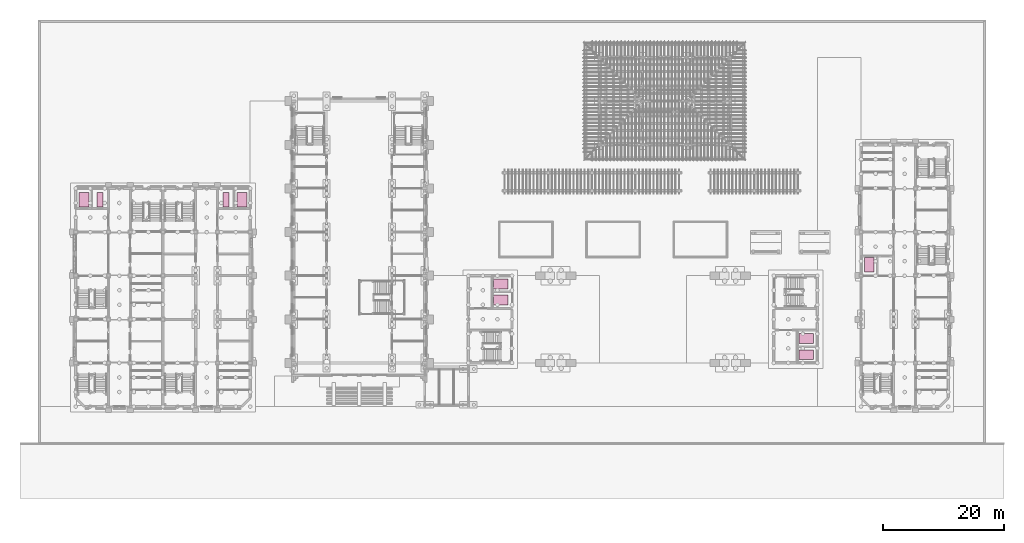
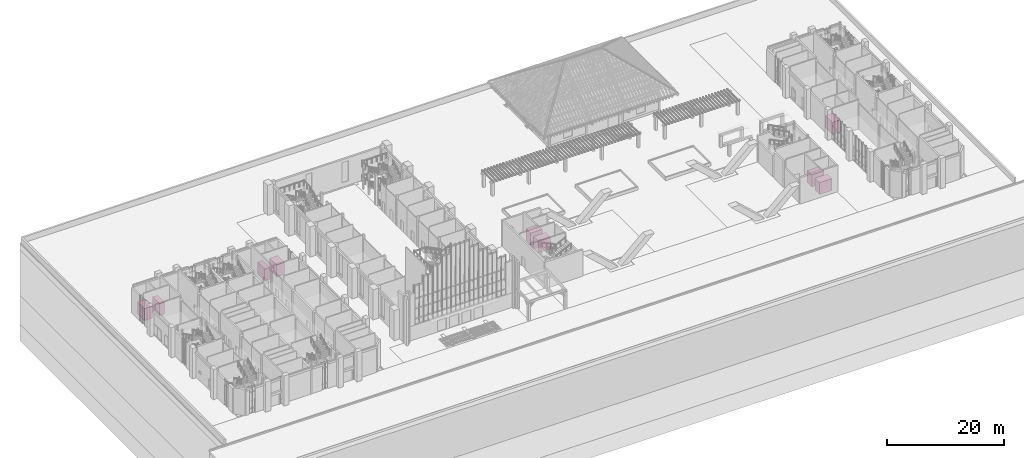
# One storey, part 84 of 84: 9 transport elements.
"""IFC4 building model written with IfcOpenShell, lengths in metres."""

from ifc_helpers import new_model, si_unit, direction, frame, origin, origin_2d, place, context, subcontext, project, spatial, rectangle, extrude, material, type_object, element, save


model = new_model("IFC4")

# Units and contexts
model_context = context("Model", 3, precision=1e-05, world=origin(), true_north=direction((0.0, 1.0)))
body_context = subcontext(model_context, "Body", "Model", "MODEL_VIEW")
ifc_project = project(units=[si_unit("LENGTHUNIT", "METRE"), si_unit("AREAUNIT", "SQUARE_METRE"), si_unit("VOLUMEUNIT", "CUBIC_METRE"), si_unit("PLANEANGLEUNIT", "RADIAN"), si_unit("MASSUNIT", "GRAM", prefix="KILO")], contexts=[model_context])

# Site, building, storey
site_placement = place(None, origin())
site = spatial("IfcSite", under=ifc_project, at=site_placement, CompositionType="ELEMENT")
building_placement = place(site_placement, origin())
building = spatial("IfcBuilding", under=site, at=building_placement, Name="Mazhai Court Health Centre", CompositionType="ELEMENT")
storey_placement = place(building_placement, origin())
storey = spatial("IfcBuildingStorey", under=building, at=storey_placement, Name="L00", CompositionType="ELEMENT", Elevation=0.0)

# Transport elements
ifc_material_1 = material(Name="Stainless steel lift car", Category="steel")
transport_element_type_1 = type_object("IfcTransportElementType", Name="LIFT CAR 1000x2400 1020 KG", PredefinedType="ELEVATOR", material=ifc_material_1)
for number, where, z_axis, x_axis, name in (
    (1, (10.219970703125, 40.3349609375, 0.050048828125), (0.0, 0.0, 1.0), (1.0, 0.0, 0.0), "Lift LF2"),
    (2, (30.97998046875, 40.3349609375, 0.050048828125), (0.0, 0.0, 1.0), (1.0, 0.0, 0.0), "Lift LF4"),
):
    element("IfcTransportElement", number, at=place(storey_placement, frame(where, z_axis=z_axis, x_axis=x_axis)), inside=storey, type_object=transport_element_type_1, Name=name, PredefinedType="ELEVATOR", context=body_context, shape_type="SweptSolid", body=[
        extrude(rectangle(XDim=1.0, YDim=2.39990234375, at=origin_2d()), origin(), (0.0, 0.0, 1.0), 2.5),
    ])
ifc_material_2 = material(Name="Stainless steel lift car", Category="steel")
transport_element_type_2 = type_object("IfcTransportElementType", Name="LIFT CAR 1600x2400 1768 KG", PredefinedType="ELEVATOR", material=ifc_material_2)
for number, where, z_axis, x_axis, name in (
    (3, (7.56494140625, 40.3349609375, 0.050048828125), (0.0, 0.0, 1.0), (1.0, 0.0, 0.0), "Lift LF1"),
    (4, (33.635009765625, 40.3349609375, 0.050048828125), (0.0, 0.0, 1.0), (1.0, 0.0, 0.0), "Lift LF3"),
):
    element("IfcTransportElement", number, at=place(storey_placement, frame(where, z_axis=z_axis, x_axis=x_axis)), inside=storey, type_object=transport_element_type_2, Name=name, PredefinedType="ELEVATOR", context=body_context, shape_type="SweptSolid", body=[
        extrude(rectangle(XDim=1.60009765625, YDim=2.39990234375, at=origin_2d()), origin(), (0.0, 0.0, 1.0), 2.5),
    ])
for number, where, z_axis, x_axis, name in (
    (5, (76.375, 26.43505859375, 0.050048828125), (0.0, 0.0, 1.0), (1.0, 0.0, 0.0), "Lift LF5"),
    (6, (76.375, 23.780029296875, 0.050048828125), (0.0, 0.0, 1.0), (1.0, 0.0, 0.0), "Lift LF6"),
    (7, (126.735107421875, 14.764892578125, 0.050048828125), (0.0, 0.0, 1.0), (1.0, 0.0, 0.0), "Lift LF7"),
    (8, (126.735107421875, 17.419921875, 0.050048828125), (0.0, 0.0, 1.0), (1.0, 0.0, 0.0), "Lift LF8"),
):
    element("IfcTransportElement", number, at=place(storey_placement, frame(where, z_axis=z_axis, x_axis=x_axis)), inside=storey, type_object=transport_element_type_2, Name=name, PredefinedType="ELEVATOR", context=body_context, shape_type="SweptSolid", body=[
        extrude(rectangle(XDim=2.39990234375, YDim=1.60009765625, at=origin_2d()), origin(), (0.0, 0.0, 1.0), 2.5),
    ])
transport_element_placement = place(storey_placement, frame((137.1650390625, 29.625, 0.050048828125), z_axis=(0.0, 0.0, 1.0), x_axis=(1.0, 0.0, 0.0)))
element("IfcTransportElement", 9, at=transport_element_placement, inside=storey, type_object=transport_element_type_2, Name="Lift LF9", PredefinedType="ELEVATOR", context=body_context, shape_type="SweptSolid", body=[
    extrude(rectangle(XDim=1.60009765625, YDim=2.39990234375, at=origin_2d()), origin(), (0.0, 0.0, 1.0), 2.5),
])

save(model, "model.ifc")
